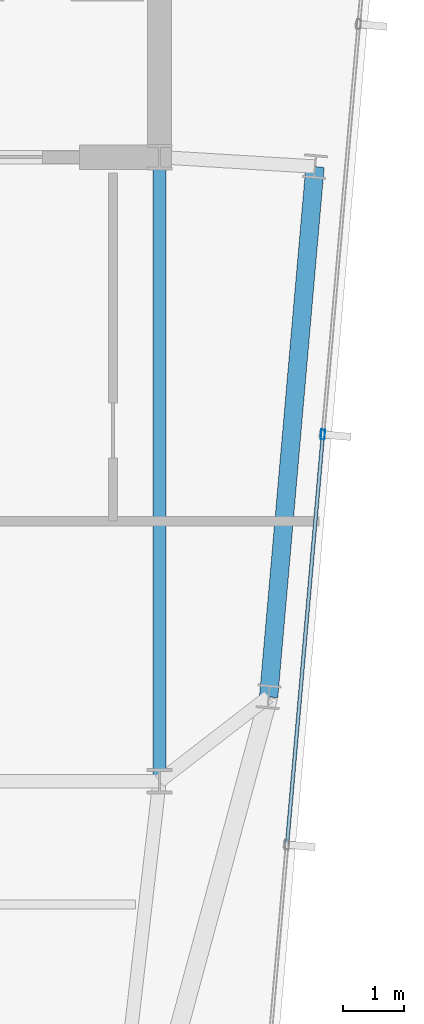
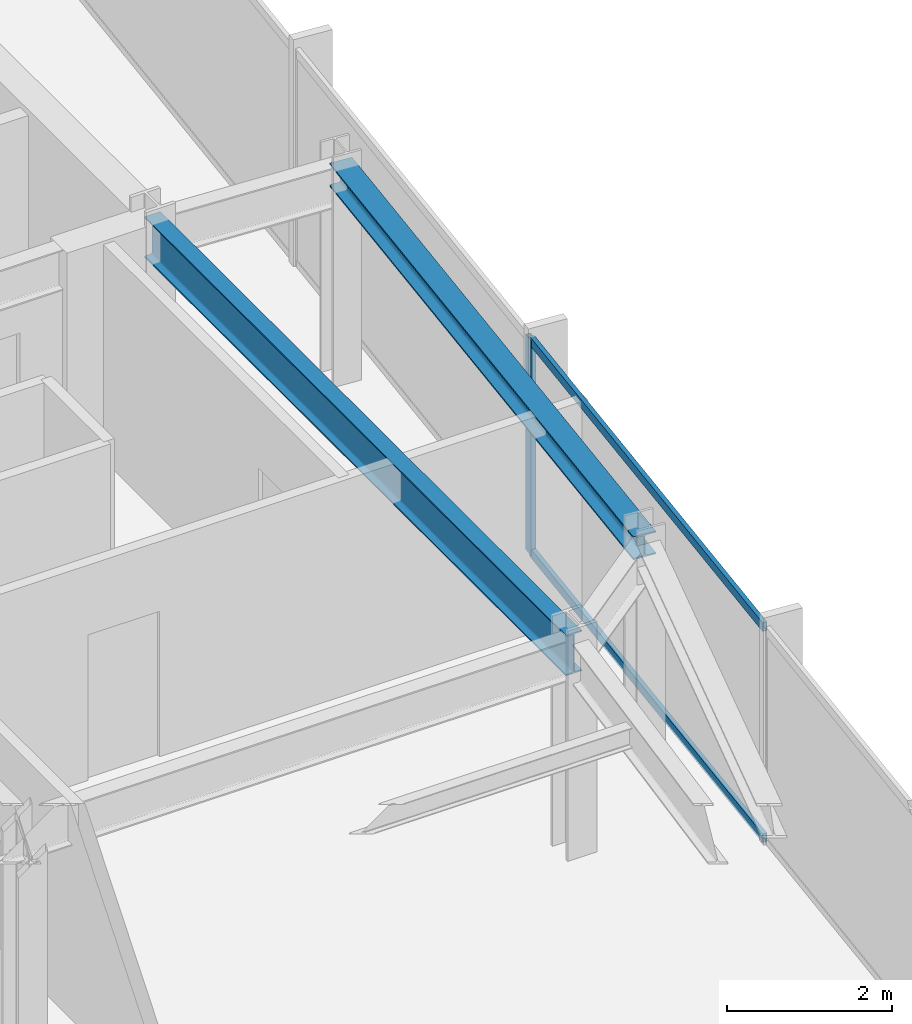
# One storey, part 17 of 32: 3 members, 2 beams, 1 element without a shape of its own.
"""IFC4 building model written with IfcOpenShell, lengths in metres."""

from ifc_helpers import new_model, si_unit, direction, frame, origin, origin_2d, place, context, subcontext, project, spatial, hollow_rectangle, i_section, extrude, material, material_profile, profile_set, type_object, element, aggregate, save


model = new_model("IFC4")

# Units and contexts
model_context = context("Model", 3, precision=1e-05, world=origin(), true_north=direction((0.0, 1.0)))
body_context = subcontext(model_context, "Body", "Model", "MODEL_VIEW")
ifc_project = project(units=[si_unit("LENGTHUNIT", "METRE"), si_unit("AREAUNIT", "SQUARE_METRE"), si_unit("VOLUMEUNIT", "CUBIC_METRE"), si_unit("PLANEANGLEUNIT", "RADIAN"), si_unit("MASSUNIT", "GRAM", prefix="KILO")], contexts=[model_context])

# Site, building, storey
site_placement = place(None, origin())
site = spatial("IfcSite", under=ifc_project, at=site_placement, CompositionType="ELEMENT")
building_placement = place(site_placement, origin())
building = spatial("IfcBuilding", under=site, at=building_placement, Name="Yelkora Congress Tower", CompositionType="ELEMENT")
storey_placement = place(building_placement, frame((0.0, 0.0, 293.10009765625)))
storey = spatial("IfcBuildingStorey", under=building, at=storey_placement, Name="L82", CompositionType="ELEMENT", Elevation=293.10009765625)

# Beams
ifc_material_1 = material(Name="Steel S355J2", Category="steel")
ifc_material_profile_1 = material_profile(ifc_material_1, i_section(OverallWidth=0.219970703125, OverallDepth=0.60009765625, WebThickness=0.011962890625, FlangeThickness=0.01904296875, FilletRadius=0.02392578125, at=origin_2d()), Name="IPE 600")
ifc_profile_set_1 = profile_set([ifc_material_profile_1], Name="Steel S355J2")
beam_type_1 = type_object("IfcBeamType", Name="BM-GIRD-IPE600", PredefinedType="BEAM", material=ifc_profile_set_1)
beam_1_placement = place(storey_placement, frame((53.760009765625, 25.199951171875, 2.8798828125), z_axis=(0.0, 1.0, 0.0), x_axis=(-1.0, 0.0, 0.0)))
element("IfcBeam", 1, at=beam_1_placement, inside=storey, type_object=beam_type_1, Name="L82 Core Tie Girder MC-D5", PredefinedType="BEAM", context=body_context, shape_type="SweptSolid", body=[
    extrude(i_section(OverallWidth=0.219970703125, OverallDepth=0.60009765625, WebThickness=0.011962890625, FlangeThickness=0.01904296875, FilletRadius=0.02392578125, at=origin_2d()), origin(), (0.0, 0.0, 1.0), 10.199951171875),
])
ifc_material_profile_2 = material_profile(ifc_material_1, i_section(OverallWidth=0.300048828125, OverallDepth=0.340087890625, WebThickness=0.011962890625, FlangeThickness=0.021484375, FilletRadius=0.027099609375, at=origin_2d()), Name="HEB 340")
ifc_profile_set_2 = profile_set([ifc_material_profile_2], Name="Steel S355J2")
beam_type_2 = type_object("IfcBeamType", Name="BM-SPAN-HEB340", PredefinedType="SPANDREL", material=ifc_profile_set_2)
beam_2_placement = place(storey_placement, frame((55.543701171875, 26.57861328125, 3.010009765625), z_axis=(0.08715998813, 0.99619432666, 0.0), x_axis=(-0.99619432666, 0.08715998813, 0.0)))
element("IfcBeam", 2, at=beam_2_placement, inside=storey, type_object=beam_type_2, Name="L82 Perimeter Beam 8", PredefinedType="SPANDREL", context=body_context, shape_type="SweptSolid", body=[
    extrude(i_section(OverallWidth=0.300048828125, OverallDepth=0.340087890625, WebThickness=0.011962890625, FlangeThickness=0.021484375, FilletRadius=0.027099609375, at=origin_2d()), origin(), (0.0, 0.0, 1.0), 8.7001953125),
])

# Curtain wall, members
ifc_material_2 = material(Name="Anodised aluminium and insulated glass", Category="aluminium")
curtain_wall_type = type_object("IfcCurtainWallType", Name="CW-SYS-B5", PredefinedType="NOTDEFINED", material=ifc_material_2)
curtain_wall_placement = place(storey_placement, origin())
curtain_wall = element("IfcCurtainWall", 3, at=curtain_wall_placement, inside=storey, type_object=curtain_wall_type, Name="L82 Unitised Curtain Wall 15", PredefinedType="NOTDEFINED")
ifc_material_3 = material(Name="Anodised aluminium 6063-T6", Category="aluminium")
ifc_material_profile_3 = material_profile(ifc_material_3, hollow_rectangle(XDim=0.06494140625, YDim=0.159912109375, WallThickness=0.00390625, at=origin_2d()), Name="ALU 65x160x4")
ifc_profile_set_3 = profile_set([ifc_material_profile_3], Name="Anodised aluminium 6063-T6")
member_type_1 = type_object("IfcMemberType", Name="MEM-ML-B5", PredefinedType="MULLION", material=ifc_profile_set_3)
member_1_placement = place(storey_placement, frame((56.430908203125, 30.867431640625, 0.0), z_axis=(0.0, 0.0, 1.0), x_axis=(0.996194463398, -0.087158425264, 0.0)))
member_1 = element("IfcMember", 4, at=member_1_placement, type_object=member_type_1, Name="CW-B5 mullion 3", PredefinedType="MULLION", context=body_context, shape_type="SweptSolid", body=[
    extrude(hollow_rectangle(XDim=0.06494140625, YDim=0.159912109375, WallThickness=0.00390625, at=origin_2d()), origin(), (0.0, 0.0, 1.0), 3.179931640625),
])
ifc_material_profile_4 = material_profile(ifc_material_3, hollow_rectangle(XDim=0.06005859375, YDim=0.1298828125, WallThickness=0.00390625, at=origin_2d()), Name="ALU 60x130x4")
ifc_profile_set_4 = profile_set([ifc_material_profile_4], Name="Anodised aluminium 6063-T6")
member_type_2 = type_object("IfcMemberType", Name="MEM-TR-B5", PredefinedType="USERDEFINED", material=ifc_profile_set_4)
member_2_placement = place(storey_placement, frame((56.42822265625, 30.835205078125, 0.02978515625), z_axis=(-0.087179673403, -0.996192604141, 0.0), x_axis=(0.996192604141, -0.087179673403, 0.0)))
member_2 = element("IfcMember", 5, at=member_2_placement, type_object=member_type_2, Name="CW-B5 transom 3.1", ObjectType="TRANSOM", PredefinedType="USERDEFINED", context=body_context, shape_type="SweptSolid", body=[
    extrude(hollow_rectangle(XDim=0.06005859375, YDim=0.1298828125, WallThickness=0.00390625, at=origin_2d()), origin(), (0.0, 0.0, 1.0), 6.6650390625),
])
member_3_placement = place(storey_placement, frame((56.42822265625, 30.835205078125, 3.14990234375), z_axis=(-0.087179673403, -0.996192604141, 0.0), x_axis=(0.996192604141, -0.087179673403, 0.0)))
member_3 = element("IfcMember", 6, at=member_3_placement, type_object=member_type_2, Name="CW-B5 transom 3.2", ObjectType="TRANSOM", PredefinedType="USERDEFINED", context=body_context, shape_type="SweptSolid", body=[
    extrude(hollow_rectangle(XDim=0.06005859375, YDim=0.1298828125, WallThickness=0.00390625, at=origin_2d()), origin(), (0.0, 0.0, 1.0), 6.6650390625),
])
aggregate(curtain_wall, [member_1, member_2, member_3])

save(model, "model.ifc")
